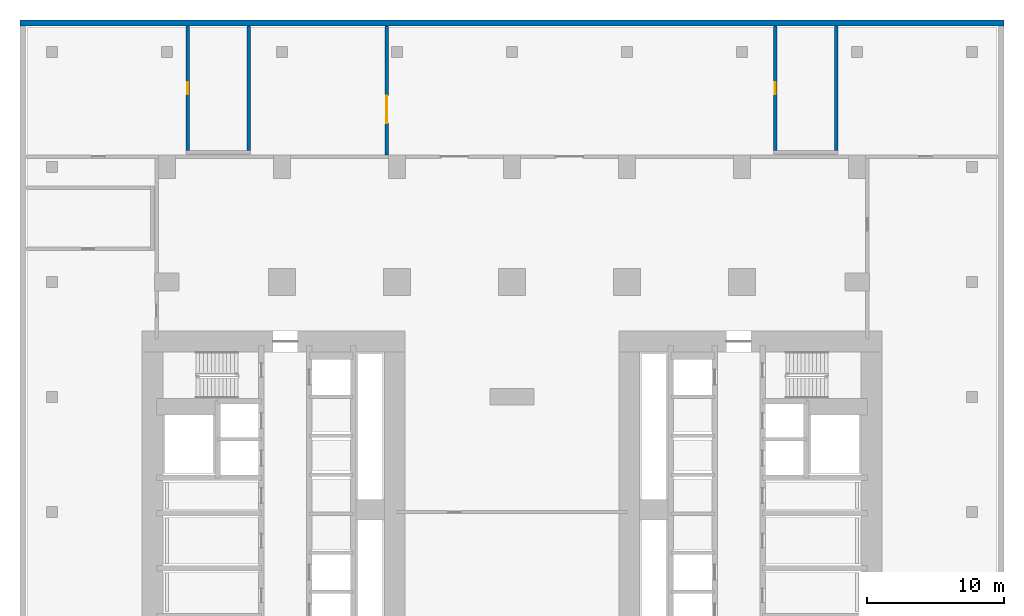
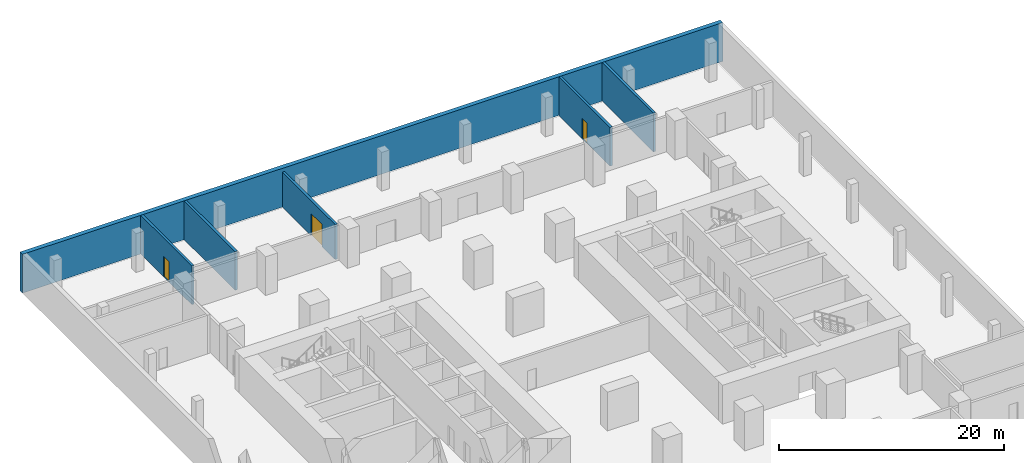
# One storey, part 6 of 8: 6 walls, 3 doors, 3 openings.
"""IFC4 building model written with IfcOpenShell, lengths in metres."""

from ifc_helpers import new_model, si_unit, direction, frame, frame_2d, origin, place, context, subcontext, project, spatial, rectangle, extrude, material, layer, layer_set, type_object, element, fill, save


model = new_model("IFC4")

# Units and contexts
model_context = context("Model", 3, precision=1e-05, world=origin(), true_north=direction((0.0, 1.0)))
body_context = subcontext(model_context, "Body", "Model", "MODEL_VIEW")
ifc_project = project(units=[si_unit("LENGTHUNIT", "METRE"), si_unit("AREAUNIT", "SQUARE_METRE"), si_unit("VOLUMEUNIT", "CUBIC_METRE"), si_unit("PLANEANGLEUNIT", "RADIAN"), si_unit("MASSUNIT", "GRAM", prefix="KILO")], contexts=[model_context])

# Site, building, storey
site_placement = place(None, origin())
site = spatial("IfcSite", under=ifc_project, at=site_placement, CompositionType="ELEMENT")
building_placement = place(site_placement, origin())
building = spatial("IfcBuilding", under=site, at=building_placement, Name="Claustro Exchange Tower", CompositionType="ELEMENT")
storey_placement = place(building_placement, frame((0.0, 0.0, -4.199951171875)))
storey = spatial("IfcBuildingStorey", under=building, at=storey_placement, Name="B1", CompositionType="ELEMENT", Elevation=-4.199951171875)

# Wall, opening, door
ifc_material_1 = material(Name="Concrete blockwork, rendered", Category="masonry")
ifc_layer_1 = layer(ifc_material_1, 0.25)
ifc_layer_set_1 = layer_set([ifc_layer_1], Name="Concrete blockwork, rendered")
wall_type_1 = type_object("IfcWallType", Name="P4 250 blockwork wall", PredefinedType="PARTITIONING", material=ifc_layer_set_1)
wall_1_placement = place(storey_placement, frame((16.050048828125, 51.27392578125, 0.0), z_axis=(0.0, 0.0, 1.0), x_axis=(0.0, 1.0, 0.0)))
wall_1 = element("IfcWall", 1, at=wall_1_placement, inside=storey, type_object=wall_type_1, Name="Partition P4 B1", PredefinedType="PARTITIONING", context=body_context, shape_type="SweptSolid", body=[
    extrude(rectangle(XDim=9.402099609375, YDim=0.25, at=frame_2d((4.701171875, 0.0))), origin(), (0.0, 0.0, 1.0), 3.800048828125),
])
opening_1_placement = place(wall_1_placement, frame((2.325927734375, 0.0, 0.0)))
opening_1 = element("IfcOpeningElement", 2, at=opening_1_placement, cuts=wall_1, Name="Opening D9", PredefinedType="OPENING", context=body_context, shape_type="SweptSolid", body=[
    extrude(rectangle(XDim=2.0, YDim=2.39990234375, at=frame_2d((1.0, 1.199951171875))), frame((0.0, 0.135009765625, 0.0), z_axis=(0.0, -1.0, 0.0), x_axis=(1.0, 0.0, 0.0)), (0.0, 0.0, 1.0), 0.27001953125),
])
ifc_material_2 = material(Name="Steel fire door, painted", Category="steel")
door_type_1 = type_object("IfcDoorType", Name="D9 2000 x 2400 plant room double door", OperationType="DOUBLE_DOOR_SINGLE_SWING", PredefinedType="DOOR", material=ifc_material_2)
door_1_placement = place(opening_1_placement, origin())
door_1 = element("IfcDoor", 3, at=door_1_placement, inside=storey, type_object=door_type_1, Name="Double door D9 B1", OperationType="DOUBLE_DOOR_SINGLE_SWING", OverallHeight=2.39990234375, OverallWidth=2.0, PredefinedType="DOOR", context=body_context, shape_type="SweptSolid", body=[
    extrude(rectangle(XDim=2.0, YDim=2.39990234375, at=frame_2d((1.0, 1.199951171875))), frame((0.0, 0.02490234375, 0.0), z_axis=(0.0, -1.0, 0.0), x_axis=(1.0, 0.0, 0.0)), (0.0, 0.0, 1.0), 0.050048828125),
])
fill(opening_1, door_1)

# Wall
ifc_material_3 = material(Name="Concrete HA-40 (C40/50)", Category="concrete")
ifc_layer_2 = layer(ifc_material_3, 0.449951171875)
ifc_layer_set_2 = layer_set([ifc_layer_2], Name="Concrete HA-40 (C40/50)")
wall_type_2 = type_object("IfcWallType", Name="RW2 450 basement retaining wall", PredefinedType="SOLIDWALL", material=ifc_layer_set_2)
wall_2_placement = place(storey_placement, frame((-10.72509765625, 60.89990234375, 0.0), z_axis=(0.0, 0.0, 1.0), x_axis=(1.0, 0.0, 0.0)))
element("IfcWall", 4, at=wall_2_placement, inside=storey, type_object=wall_type_2, Name="Retaining wall RW2 N B1", PredefinedType="SOLIDWALL", context=body_context, shape_type="SweptSolid", body=[
    extrude(rectangle(XDim=71.85009765625, YDim=0.449951171875, at=frame_2d((35.925048828125, 0.0))), origin(), (0.0, 0.0, 1.0), 4.199951171875),
])

# Wall, opening, door
ifc_material_4 = material(Name="Concrete HA-40 (C40/50)", Category="concrete")
ifc_layer_3 = layer(ifc_material_4, 0.25)
ifc_layer_set_3 = layer_set([ifc_layer_3], Name="Concrete HA-40 (C40/50)")
wall_type_3 = type_object("IfcWallType", Name="SW7 250 reinforced concrete stair wall", PredefinedType="SOLIDWALL", material=ifc_layer_set_3)
wall_3_placement = place(storey_placement, frame((1.52490234375, 60.677001953125, 0.0), z_axis=(0.0, 0.0, 1.0), x_axis=(0.0, -1.0, 0.0)))
wall_3 = element("IfcWall", 5, at=wall_3_placement, inside=storey, type_object=wall_type_3, Name="Stair enclosure wall STP3 SW7 B1", PredefinedType="SOLIDWALL", context=body_context, shape_type="SweptSolid", body=[
    extrude(rectangle(XDim=9.076904296875, YDim=0.25, at=frame_2d((4.53857421875, 0.0))), origin(), (0.0, 0.0, 1.0), 4.199951171875),
])
opening_2_placement = place(wall_3_placement, frame((4.08740234375, 0.0, 0.0)))
opening_2 = element("IfcOpeningElement", 6, at=opening_2_placement, cuts=wall_3, Name="Opening D12", PredefinedType="OPENING", context=body_context, shape_type="SweptSolid", body=[
    extrude(rectangle(XDim=0.89990234375, YDim=2.199951171875, at=frame_2d((0.449951171875, 1.10009765625))), frame((0.0, 0.135009765625, 0.0), z_axis=(0.0, -1.0, 0.0), x_axis=(1.0, 0.0, 0.0)), (0.0, 0.0, 1.0), 0.27001953125),
])
ifc_material_5 = material(Name="Steel door, painted", Category="steel")
door_type_2 = type_object("IfcDoorType", Name="D12 900 x 2200 plant and store room door", OperationType="SINGLE_SWING_LEFT", PredefinedType="DOOR", material=ifc_material_5)
door_2_placement = place(opening_2_placement, origin())
door_2 = element("IfcDoor", 7, at=door_2_placement, inside=storey, type_object=door_type_2, Name="Store door STP3 D12 B1", OperationType="SINGLE_SWING_LEFT", OverallHeight=2.199951171875, OverallWidth=0.89990234375, PredefinedType="DOOR", context=body_context, shape_type="SweptSolid", body=[
    extrude(rectangle(XDim=0.89990234375, YDim=2.199951171875, at=frame_2d((0.449951171875, 1.10009765625))), frame((0.0, 0.02490234375, 0.0), z_axis=(0.0, -1.0, 0.0), x_axis=(1.0, 0.0, 0.0)), (0.0, 0.0, 1.0), 0.050048828125),
])
fill(opening_2, door_2)

# Wall
wall_4_placement = place(storey_placement, frame((5.97509765625, 60.677001953125, 0.0), z_axis=(0.0, 0.0, 1.0), x_axis=(0.0, -1.0, 0.0)))
element("IfcWall", 8, at=wall_4_placement, inside=storey, type_object=wall_type_3, Name="Stair enclosure wall STP3 SW7 B1", PredefinedType="SOLIDWALL", context=body_context, shape_type="SweptSolid", body=[
    extrude(rectangle(XDim=9.076904296875, YDim=0.25, at=frame_2d((4.53857421875, 0.0))), origin(), (0.0, 0.0, 1.0), 4.199951171875),
])

# Wall, opening, door
wall_5_placement = place(storey_placement, frame((44.425048828125, 60.677001953125, 0.0), z_axis=(0.0, 0.0, 1.0), x_axis=(0.0, -1.0, 0.0)))
wall_5 = element("IfcWall", 9, at=wall_5_placement, inside=storey, type_object=wall_type_3, Name="Stair enclosure wall STP4 SW7 B1", PredefinedType="SOLIDWALL", context=body_context, shape_type="SweptSolid", body=[
    extrude(rectangle(XDim=9.076904296875, YDim=0.25, at=frame_2d((4.53857421875, 0.0))), origin(), (0.0, 0.0, 1.0), 4.199951171875),
])
opening_3_placement = place(wall_5_placement, frame((4.08740234375, 0.0, 0.0)))
opening_3 = element("IfcOpeningElement", 10, at=opening_3_placement, cuts=wall_5, Name="Opening D12", PredefinedType="OPENING", context=body_context, shape_type="SweptSolid", body=[
    extrude(rectangle(XDim=0.89990234375, YDim=2.199951171875, at=frame_2d((0.449951171875, 1.10009765625))), frame((0.0, 0.135009765625, 0.0), z_axis=(0.0, -1.0, 0.0), x_axis=(1.0, 0.0, 0.0)), (0.0, 0.0, 1.0), 0.27001953125),
])
door_3_placement = place(opening_3_placement, origin())
door_3 = element("IfcDoor", 11, at=door_3_placement, inside=storey, type_object=door_type_2, Name="Store door STP4 D12 B1", OperationType="SINGLE_SWING_LEFT", OverallHeight=2.199951171875, OverallWidth=0.89990234375, PredefinedType="DOOR", context=body_context, shape_type="SweptSolid", body=[
    extrude(rectangle(XDim=0.89990234375, YDim=2.199951171875, at=frame_2d((0.449951171875, 1.10009765625))), frame((0.0, 0.02490234375, 0.0), z_axis=(0.0, -1.0, 0.0), x_axis=(1.0, 0.0, 0.0)), (0.0, 0.0, 1.0), 0.050048828125),
])
fill(opening_3, door_3)

# Wall
wall_6_placement = place(storey_placement, frame((48.875, 60.677001953125, 0.0), z_axis=(0.0, 0.0, 1.0), x_axis=(0.0, -1.0, 0.0)))
element("IfcWall", 12, at=wall_6_placement, inside=storey, type_object=wall_type_3, Name="Stair enclosure wall STP4 SW7 B1", PredefinedType="SOLIDWALL", context=body_context, shape_type="SweptSolid", body=[
    extrude(rectangle(XDim=9.076904296875, YDim=0.25, at=frame_2d((4.53857421875, 0.0))), origin(), (0.0, 0.0, 1.0), 4.199951171875),
])

save(model, "model.ifc")
